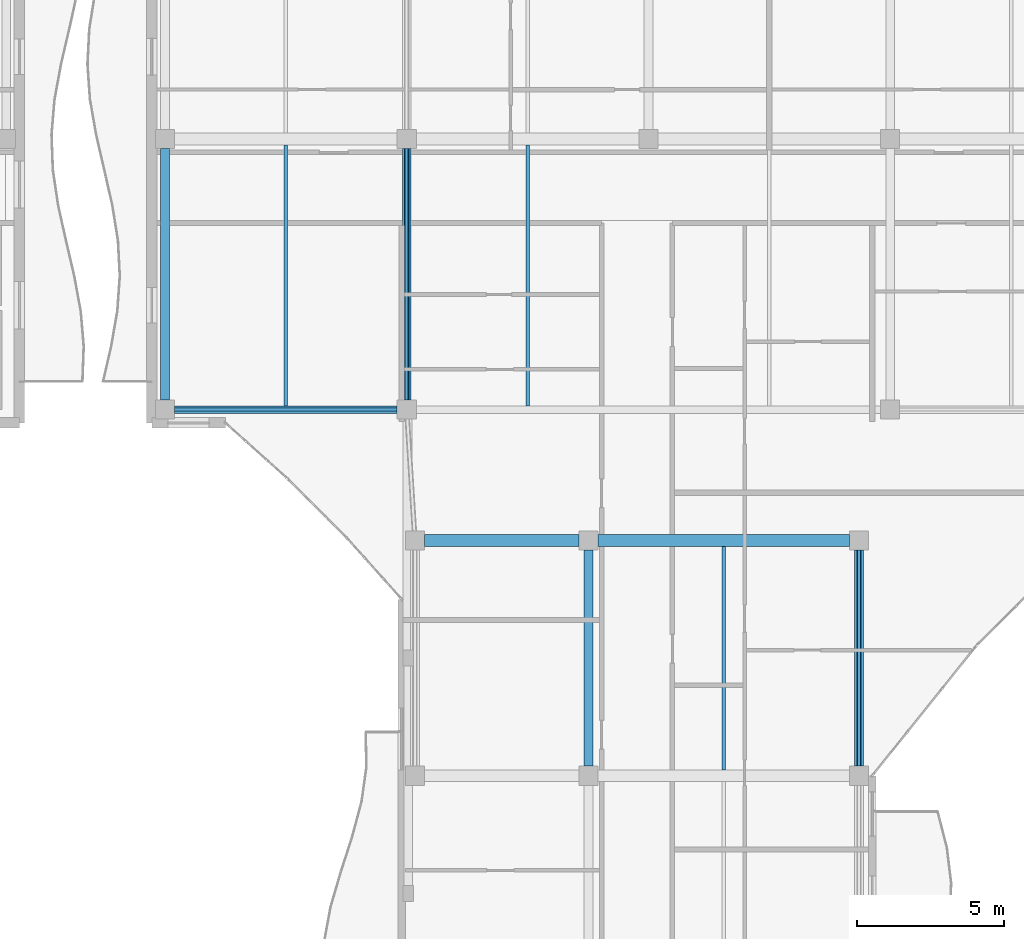
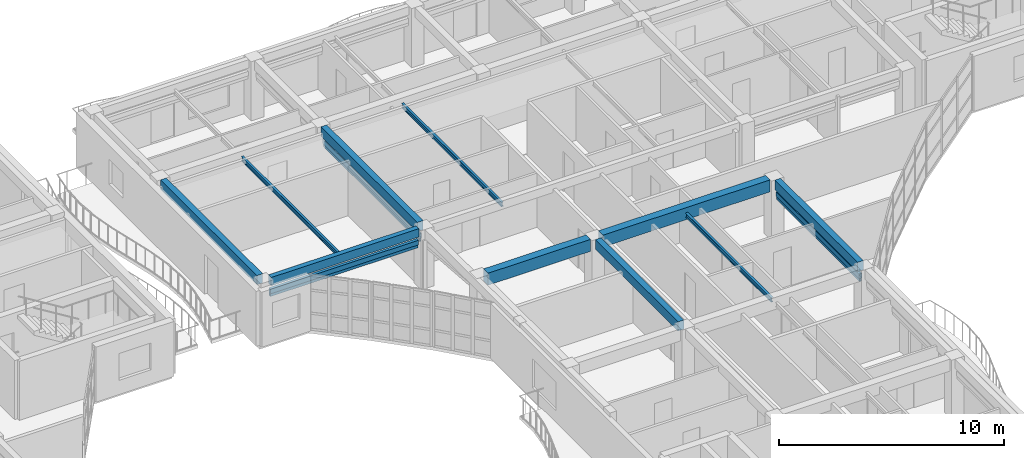
# One storey, part 46 of 128: 10 beams, 6 members.
"""IFC4 building model written with IfcOpenShell, lengths in metres."""

import ifcopenshell
import ifcopenshell.guid

model = None  # the IFC model being written
_history = None  # IfcOwnerHistory: only IFC2X3 demands one
_inside = {}  # id of a spatial element -> (the spatial element, [elements in it])
_under = {}  # id of a project, library or spatial element -> (it, [spatial elements below it])
_declared = {}  # id of a project -> (the project, [libraries it declares])
_typed = {}  # id of a type object -> (the type object, [elements of that type])
_made_of = {}  # id of a material, layer set ... -> (it, [elements and type objects made of it])


def new_model(schema):
    """Start an empty IFC model of exactly this schema.

    Asked for "IFC4X3", IfcOpenShell would pick the latest addendum, in which some entities
    have other attributes; the version numbers below select the first issue.
    IFC2X3 requires an IfcOwnerHistory on every rooted entity: one is made here for all.
    """
    global model, _history
    if schema == "IFC4X3":
        model = ifcopenshell.file(schema_version=(4, 3, 0, 0))
    else:
        model = ifcopenshell.file(schema=schema)
    _inside.clear()
    _under.clear()
    _declared.clear()
    _typed.clear()
    _made_of.clear()
    _history = None
    if model.schema == "IFC2X3":
        org = make("IfcOrganization", Name="unknown")
        user = make(
            "IfcPersonAndOrganization",
            ThePerson=make("IfcPerson", FamilyName="unknown"),
            TheOrganization=org,
        )
        app = make(
            "IfcApplication",
            ApplicationDeveloper=org,
            Version="unknown",
            ApplicationFullName="unknown",
            ApplicationIdentifier="unknown",
        )
        _history = make(
            "IfcOwnerHistory",
            OwningUser=user,
            OwningApplication=app,
            ChangeAction="ADDED",
            CreationDate=0,
        )
    return model


def make(cls, **values):
    """One entity of the class cls with the attributes given. An attribute that is None is left unset."""
    return model.create_entity(
        cls, **{name: value for name, value in values.items() if value is not None}
    )


def rooted(cls, **values):
    """An entity with a GlobalId (a new one), such as an element, a storey or a relation."""
    return make(cls, GlobalId=ifcopenshell.guid.new(), OwnerHistory=_history, **values)


def si_unit(unit_type, name, prefix=None):
    """IfcSIUnit, for example si_unit("LENGTHUNIT", "METRE", prefix="MILLI")."""
    return make("IfcSIUnit", UnitType=unit_type, Prefix=prefix, Name=name)


def assignment(units):
    """IfcUnitAssignment: the units of a project."""
    return None if units is None else make("IfcUnitAssignment", Units=units)


def point(xyz):
    """IfcCartesianPoint."""
    return None if xyz is None else make("IfcCartesianPoint", Coordinates=xyz)


def direction(xyz):
    """IfcDirection."""
    return None if xyz is None else make("IfcDirection", DirectionRatios=xyz)


def frame(location, z_axis=None, x_axis=None):
    """IfcAxis2Placement3D, a coordinate frame: its origin and axes. An axis left out is left unset."""
    return make(
        "IfcAxis2Placement3D",
        Location=point(location),
        Axis=direction(z_axis),
        RefDirection=direction(x_axis),
    )


def frame_2d(location, x_axis=None):
    """IfcAxis2Placement2D, a coordinate frame in the plane: its origin and x axis."""
    return make(
        "IfcAxis2Placement2D", Location=point(location), RefDirection=direction(x_axis)
    )


def origin():
    """The frame at (0, 0, 0) with its axes left unset."""
    return frame((0.0, 0.0, 0.0))


def origin_2d():
    """The frame at (0, 0) in the plane with its x axis left unset."""
    return frame_2d((0.0, 0.0))


def place(relative_to, where):
    """IfcLocalPlacement: puts the frame where relative to a parent placement (None: the world)."""
    return make(
        "IfcLocalPlacement", PlacementRelTo=relative_to, RelativePlacement=where
    )


def context(
    kind, dimensions, precision=None, world=None, true_north=None, identifier=None
):
    """IfcGeometricRepresentationContext, for example the 3D "Model" context."""
    return make(
        "IfcGeometricRepresentationContext",
        ContextIdentifier=identifier,
        ContextType=kind,
        CoordinateSpaceDimension=dimensions,
        Precision=precision,
        WorldCoordinateSystem=world,
        TrueNorth=true_north,
    )


def subcontext(parent, identifier, kind, view, scale=None):
    """IfcGeometricRepresentationSubContext, for example "Body" below "Model"."""
    return make(
        "IfcGeometricRepresentationSubContext",
        ContextIdentifier=identifier,
        ContextType=kind,
        ParentContext=parent,
        TargetScale=scale,
        TargetView=view,
    )


def project(units=None, contexts=None):
    """IfcProject with its units and contexts."""
    return rooted(
        "IfcProject",
        Name="project",
        RepresentationContexts=contexts,
        UnitsInContext=assignment(units),
    )


def spatial(cls, under=None, at=None, **own):
    """A site, building, storey or space (cls), placed at a placement, below another one or the project."""
    s = rooted(cls, ObjectPlacement=at, **own)
    if under is not None:
        _under.setdefault(under.id(), (under, []))[1].append(s)
    return s


def profile(cls, at=None, kind="AREA", **sizes):
    """A parametric profile (cls). Its sizes go by their IFC names, for example OverallWidth=200.0."""
    return make(cls, ProfileType=kind, Position=at, **sizes)


def rectangle(**sizes):
    """IfcRectangleProfileDef."""
    return profile("IfcRectangleProfileDef", **sizes)


def hollow_rectangle(**sizes):
    """IfcRectangleHollowProfileDef."""
    return profile("IfcRectangleHollowProfileDef", **sizes)


def i_section(**sizes):
    """IfcIShapeProfileDef."""
    return profile("IfcIShapeProfileDef", **sizes)


def extrude(swept, where, along, depth):
    """IfcExtrudedAreaSolid: the profile swept, set in the frame where, extruded along a direction by depth."""
    return make(
        "IfcExtrudedAreaSolid",
        SweptArea=swept,
        Position=where,
        ExtrudedDirection=direction(along),
        Depth=depth,
    )


def shape(context_of_items, identifier, shape_type, items):
    """IfcShapeRepresentation: the items that make up one representation, for example the "Body"."""
    return make(
        "IfcShapeRepresentation",
        ContextOfItems=context_of_items,
        RepresentationIdentifier=identifier,
        RepresentationType=shape_type,
        Items=items,
    )


def material(Name=None, Category=None):
    """IfcMaterial."""
    return make("IfcMaterial", Name=Name, Category=Category)


def material_profile(
    of_material, cross_section, Name=None, Category=None, Priority=None
):
    """IfcMaterialProfile: a cross section and its material."""
    return make(
        "IfcMaterialProfile",
        Name=Name,
        Material=of_material,
        Profile=cross_section,
        Priority=Priority,
        Category=Category,
    )


def profile_set(profiles, Name=None, composite=None):
    """IfcMaterialProfileSet."""
    return make(
        "IfcMaterialProfileSet",
        Name=Name,
        MaterialProfiles=profiles,
        CompositeProfile=composite,
    )


def made_of(thing, what):
    """Note that an element or type object is made of a material, layer set ...; save() writes the relation."""
    if what is not None:
        _made_of.setdefault(what.id(), (what, []))[1].append(thing)
    return thing


def type_object(cls, material=None, **own):
    """A type object (cls), such as IfcWallType, which elements share."""
    return made_of(rooted(cls, **own), material)


def element(
    cls,
    number,
    at=None,
    inside=None,
    cuts=None,
    type_object=None,
    material=None,
    context=None,
    identifier="Body",
    shape_type=None,
    held_by="IfcProductDefinitionShape",
    body=None,
    shapes=None,
    **own,
):
    """One element of the class cls, such as IfcWall. Its Tag is "e" and its number.

    at: its placement. inside: the storey or other place that contains it. cuts: it is an
    opening in that element (IfcRelVoidsElement). A single representation is given by context,
    identifier, shape_type and body (its items); several are given by shapes. held_by: the class
    of the entity that holds the representations. save() writes the other relations.
    """
    e = rooted(cls, Tag="e%d" % number, ObjectPlacement=at, **own)
    if body is not None:
        shapes = [shape(context, identifier, shape_type, body)]
    if shapes is not None:
        e.Representation = make(held_by, Representations=shapes)
    if inside is not None:
        _inside.setdefault(inside.id(), (inside, []))[1].append(e)
    if cuts is not None:
        rooted(
            "IfcRelVoidsElement", RelatingBuildingElement=cuts, RelatedOpeningElement=e
        )
    if type_object is not None:
        _typed.setdefault(type_object.id(), (type_object, []))[1].append(e)
    return made_of(e, material)


def aggregate(whole, parts):
    """IfcRelAggregates: a whole, such as a stair, and the parts it consists of."""
    return rooted("IfcRelAggregates", RelatingObject=whole, RelatedObjects=parts)


def save(model, path):
    """Write the relations noted so far, then the file.

    IfcRelAggregates (storeys below a building ...), IfcRelContainedInSpatialStructure (elements
    in a storey), IfcRelDefinesByType, IfcRelAssociatesMaterial and IfcRelDeclares: one each for
    every whole, place, type object, material and project.
    """
    for whole, parts in _under.values():
        aggregate(whole, parts)
    for where, things in _inside.values():
        rooted(
            "IfcRelContainedInSpatialStructure",
            RelatedElements=things,
            RelatingStructure=where,
        )
    for kind, things in _typed.values():
        rooted("IfcRelDefinesByType", RelatedObjects=things, RelatingType=kind)
    for what, things in _made_of.values():
        rooted("IfcRelAssociatesMaterial", RelatedObjects=things, RelatingMaterial=what)
    for by, libraries in _declared.values():
        rooted("IfcRelDeclares", RelatingContext=by, RelatedDefinitions=libraries)
    model.write(path)


model = new_model("IFC4")

# Units and contexts
model_context = context("Model", 3, precision=1e-05, world=origin(), true_north=direction((0.0, 1.0)))
body_context = subcontext(model_context, "Body", "Model", "MODEL_VIEW")
ifc_project = project(units=[si_unit("LENGTHUNIT", "METRE"), si_unit("AREAUNIT", "SQUARE_METRE"), si_unit("VOLUMEUNIT", "CUBIC_METRE"), si_unit("PLANEANGLEUNIT", "RADIAN"), si_unit("MASSUNIT", "GRAM", prefix="KILO")], contexts=[model_context])

# Site, building, storey
site_placement = place(None, origin())
site = spatial("IfcSite", under=ifc_project, at=site_placement, CompositionType="ELEMENT")
building_placement = place(site_placement, origin())
building = spatial("IfcBuilding", under=site, at=building_placement, Name="Keldmere Railside Commons", CompositionType="ELEMENT")
storey_placement = place(building_placement, frame((0.0, 0.0, 4.159912109375)))
storey = spatial("IfcBuildingStorey", under=building, at=storey_placement, Name="L01", CompositionType="ELEMENT", Elevation=4.159912109375)

# Members
ifc_material_1 = material(Name="Steel F-36 (S355)", Category="steel")
ifc_material_profile_1 = material_profile(ifc_material_1, hollow_rectangle(XDim=0.14990234375, YDim=0.25, WallThickness=0.010009765625, at=origin_2d()), Name="RHS-250x150x10")
ifc_profile_set_1 = profile_set([ifc_material_profile_1], Name="Steel F-36 (S355)")
member_type_1 = type_object("IfcMemberType", Name="Balcony Continuous Planted Trough RHS250x150", PredefinedType="CHORD", material=ifc_profile_set_1)
member_1_placement = place(storey_placement, frame((40.27490234375, 100.449951171875, 2.4150390625), z_axis=(1.0, 0.0, 0.0), x_axis=(0.0, 1.0, 0.0)))
element("IfcMember", 1, at=member_1_placement, inside=storey, type_object=member_type_1, Name="PLT-1 MEM-BPLT-0129", PredefinedType="CHORD", context=body_context, shape_type="SweptSolid", body=[
    extrude(hollow_rectangle(XDim=0.14990234375, YDim=0.25, WallThickness=0.010009765625, at=origin_2d()), origin(), (0.0, 0.0, 1.0), 7.570068359375),
])
member_2_placement = place(storey_placement, frame((48.169921875, 100.77490234375, 2.4150390625), z_axis=(0.0, 1.0, 0.0), x_axis=(-1.0, 0.0, 0.0)))
element("IfcMember", 2, at=member_2_placement, inside=storey, type_object=member_type_1, Name="PLT-1 MEM-BPLT-0139", PredefinedType="CHORD", context=body_context, shape_type="SweptSolid", body=[
    extrude(hollow_rectangle(XDim=0.14990234375, YDim=0.25, WallThickness=0.010009765625, at=origin_2d()), origin(), (0.0, 0.0, 1.0), 8.550048828125),
])
member_3_placement = place(storey_placement, frame((63.550048828125, 88.324951171875, 2.4150390625), z_axis=(0.0, 1.0, 0.0), x_axis=(-1.0, 0.0, 0.0)))
element("IfcMember", 3, at=member_3_placement, inside=storey, type_object=member_type_1, Name="PLT-1 MEM-BPLT-0151", PredefinedType="CHORD", context=body_context, shape_type="SweptSolid", body=[
    extrude(hollow_rectangle(XDim=0.14990234375, YDim=0.25, WallThickness=0.010009765625, at=origin_2d()), origin(), (0.0, 0.0, 1.0), 7.35009765625),
])

# Beams
ifc_material_profile_2 = material_profile(ifc_material_1, i_section(OverallWidth=0.1201171875, OverallDepth=0.239990234375, WebThickness=0.006103515625, FlangeThickness=0.009765625, at=origin_2d()), Name="IPE-240")
ifc_profile_set_2 = profile_set([ifc_material_profile_2], Name="Steel F-36 (S355)")
beam_type_1 = type_object("IfcBeamType", Name="Nursery & Mezzanine Steel Joist IPE240", PredefinedType="JOIST", material=ifc_profile_set_2)
beam_1_placement = place(storey_placement, frame((58.949951171875, 88.199951171875, 2.81005859375), z_axis=(0.0, 1.0, 0.0), x_axis=(-1.0, 0.0, 0.0)))
element("IfcBeam", 4, at=beam_1_placement, inside=storey, type_object=beam_type_1, Name="JST-2 BM-L01-1014", PredefinedType="JOIST", context=body_context, shape_type="SweptSolid", body=[
    extrude(i_section(OverallWidth=0.1201171875, OverallDepth=0.239990234375, WebThickness=0.006103515625, FlangeThickness=0.009765625, at=origin_2d()), origin(), (0.0, 0.0, 1.0), 7.60009765625),
])
for number, where, z_axis, x_axis, name in (
    (5, (44.06005859375, 100.574951171875, 2.81005859375), (0.0, 1.0, 0.0), (-1.0, 0.0, 0.0), "JST-2 BM-L01-1019"),
    (6, (52.280029296875, 100.574951171875, 2.81005859375), (0.0, 1.0, 0.0), (-1.0, 0.0, 0.0), "JST-2 BM-L01-1020"),
):
    element("IfcBeam", number, at=place(storey_placement, frame(where, z_axis=z_axis, x_axis=x_axis)), inside=storey, type_object=beam_type_1, Name=name, PredefinedType="JOIST", context=body_context, shape_type="SweptSolid", body=[
        extrude(i_section(OverallWidth=0.1201171875, OverallDepth=0.239990234375, WebThickness=0.006103515625, FlangeThickness=0.009765625, at=origin_2d()), origin(), (0.0, 0.0, 1.0), 8.875),
    ])
ifc_material_2 = material(Name="Architectural Precast Concrete H-35 (C35/45)", Category="concrete")
ifc_material_profile_3 = material_profile(ifc_material_2, rectangle(XDim=0.25, YDim=0.449951171875, at=origin_2d()), Name="RC-250x450")
ifc_profile_set_3 = profile_set([ifc_material_profile_3], Name="Architectural Precast Concrete H-35 (C35/45)")
beam_type_2 = type_object("IfcBeamType", Name="Perimeter Precast Spandrel Beam 250x450", PredefinedType="SPANDREL", material=ifc_profile_set_3)
beam_2_placement = place(storey_placement, frame((40.27490234375, 100.449951171875, 2.97509765625), z_axis=(1.0, 0.0, 0.0), x_axis=(0.0, 1.0, 0.0)))
element("IfcBeam", 7, at=beam_2_placement, inside=storey, type_object=beam_type_2, Name="SPB-1 BM-L01-0820", PredefinedType="SPANDREL", context=body_context, shape_type="SweptSolid", body=[
    extrude(rectangle(XDim=0.25, YDim=0.449951171875, at=origin_2d()), origin(), (0.0, 0.0, 1.0), 7.570068359375),
])
ifc_material_3 = material(Name="Concrete H-30 (C30/37)", Category="concrete")
ifc_material_profile_4 = material_profile(ifc_material_3, rectangle(XDim=0.39990234375, YDim=0.64990234375, at=origin_2d()), Name="RC-400x650")
ifc_profile_set_4 = profile_set([ifc_material_profile_4], Name="Concrete H-30 (C30/37)")
beam_type_3 = type_object("IfcBeamType", Name="Residential Spine RC Girder 400x650", PredefinedType="BEAM", material=ifc_profile_set_4)
beam_3_placement = place(storey_placement, frame((48.77490234375, 96.0, 2.875), z_axis=(1.0, 0.0, 0.0), x_axis=(0.0, 1.0, 0.0)))
element("IfcBeam", 8, at=beam_3_placement, inside=storey, type_object=beam_type_3, Name="BG-3 BM-L01-0813", PredefinedType="BEAM", context=body_context, shape_type="SweptSolid", body=[
    extrude(rectangle(XDim=0.39990234375, YDim=0.64990234375, at=origin_2d()), origin(), (0.0, 0.0, 1.0), 5.25),
])
beam_4_placement = place(storey_placement, frame((54.675048828125, 96.0, 2.875), z_axis=(1.0, 0.0, 0.0), x_axis=(0.0, 1.0, 0.0)))
element("IfcBeam", 9, at=beam_4_placement, inside=storey, type_object=beam_type_3, Name="BG-3 BM-L01-0814", PredefinedType="BEAM", context=body_context, shape_type="SweptSolid", body=[
    extrude(rectangle(XDim=0.39990234375, YDim=0.64990234375, at=origin_2d()), origin(), (0.0, 0.0, 1.0), 8.550048828125),
])
ifc_material_profile_5 = material_profile(ifc_material_3, rectangle(XDim=0.300048828125, YDim=0.5, at=origin_2d()), Name="RC-300x500")
ifc_profile_set_5 = profile_set([ifc_material_profile_5], Name="Concrete H-30 (C30/37)")
beam_type_4 = type_object("IfcBeamType", Name="Secondary Frame RC Beam 300x500", PredefinedType="BEAM", material=ifc_profile_set_5)
for number, where, z_axis, x_axis, name in (
    (10, (39.949951171875, 100.77490234375, 2.9501953125), (0.0, 1.0, 0.0), (-1.0, 0.0, 0.0), "BG-5 BM-L01-0887"),
    (11, (48.169921875, 100.77490234375, 2.9501953125), (0.0, 1.0, 0.0), (-1.0, 0.0, 0.0), "BG-5 BM-L01-0891"),
):
    element("IfcBeam", number, at=place(storey_placement, frame(where, z_axis=z_axis, x_axis=x_axis)), inside=storey, type_object=beam_type_4, Name=name, PredefinedType="BEAM", context=body_context, shape_type="SweptSolid", body=[
        extrude(rectangle(XDim=0.300048828125, YDim=0.5, at=origin_2d()), origin(), (0.0, 0.0, 1.0), 8.550048828125),
    ])
for number, where, z_axis, x_axis, name in (
    (12, (54.35009765625, 88.324951171875, 2.9501953125), (0.0, 1.0, 0.0), (-1.0, 0.0, 0.0), "BG-5 BM-L01-0899"),
    (13, (63.550048828125, 88.324951171875, 2.9501953125), (0.0, 1.0, 0.0), (-1.0, 0.0, 0.0), "BG-5 BM-L01-0905"),
):
    element("IfcBeam", number, at=place(storey_placement, frame(where, z_axis=z_axis, x_axis=x_axis)), inside=storey, type_object=beam_type_4, Name=name, PredefinedType="BEAM", context=body_context, shape_type="SweptSolid", body=[
        extrude(rectangle(XDim=0.300048828125, YDim=0.5, at=origin_2d()), origin(), (0.0, 0.0, 1.0), 7.35009765625),
    ])

# Members
ifc_material_profile_6 = material_profile(ifc_material_1, hollow_rectangle(XDim=0.10009765625, YDim=0.159912109375, WallThickness=0.008056640625, at=origin_2d()), Name="RHS-160x100x8")
ifc_profile_set_6 = profile_set([ifc_material_profile_6], Name="Steel F-36 (S355)")
member_type_2 = type_object("IfcMemberType", Name="Solar Brise-Soleil Louvre Fin RHS160x100", PredefinedType="STRUT", material=ifc_profile_set_6)
member_4_placement = place(storey_placement, frame((40.27490234375, 100.449951171875, 2.2001953125), z_axis=(1.0, 0.0, 0.0), x_axis=(0.0, 1.0, 0.0)))
element("IfcMember", 14, at=member_4_placement, inside=storey, type_object=member_type_2, Name="BSF-1 MEM-BSF-0130", PredefinedType="STRUT", context=body_context, shape_type="SweptSolid", body=[
    extrude(hollow_rectangle(XDim=0.10009765625, YDim=0.159912109375, WallThickness=0.008056640625, at=origin_2d()), origin(), (0.0, 0.0, 1.0), 7.570068359375),
])
member_5_placement = place(storey_placement, frame((48.169921875, 100.77490234375, 2.2001953125), z_axis=(0.0, 1.0, 0.0), x_axis=(-1.0, 0.0, 0.0)))
element("IfcMember", 15, at=member_5_placement, inside=storey, type_object=member_type_2, Name="BSF-1 MEM-BSF-0140", PredefinedType="STRUT", context=body_context, shape_type="SweptSolid", body=[
    extrude(hollow_rectangle(XDim=0.10009765625, YDim=0.159912109375, WallThickness=0.008056640625, at=origin_2d()), origin(), (0.0, 0.0, 1.0), 8.550048828125),
])
member_6_placement = place(storey_placement, frame((63.550048828125, 88.324951171875, 2.2001953125), z_axis=(0.0, 1.0, 0.0), x_axis=(-1.0, 0.0, 0.0)))
element("IfcMember", 16, at=member_6_placement, inside=storey, type_object=member_type_2, Name="BSF-1 MEM-BSF-0152", PredefinedType="STRUT", context=body_context, shape_type="SweptSolid", body=[
    extrude(hollow_rectangle(XDim=0.10009765625, YDim=0.159912109375, WallThickness=0.008056640625, at=origin_2d()), origin(), (0.0, 0.0, 1.0), 7.35009765625),
])

save(model, "model.ifc")
